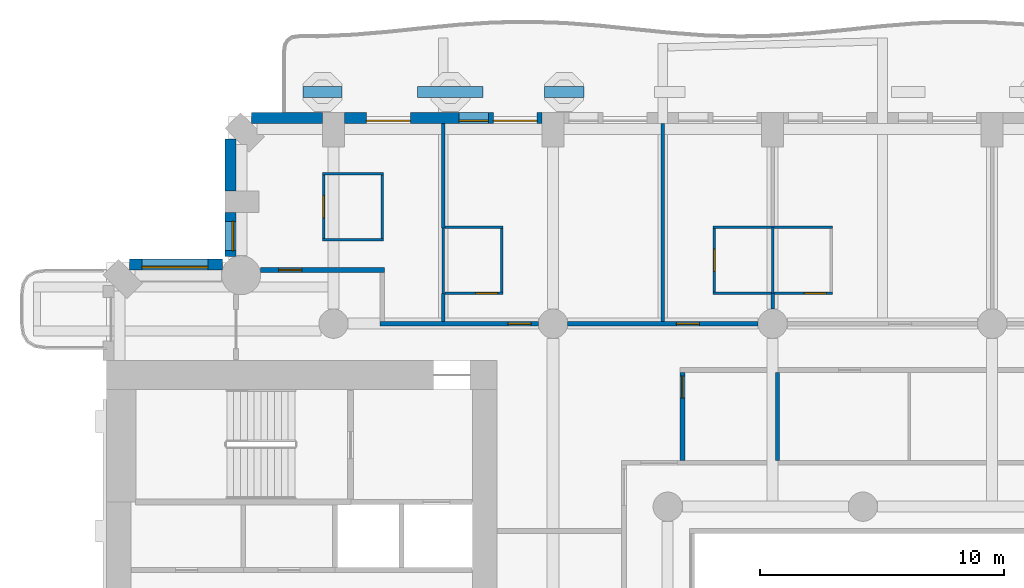
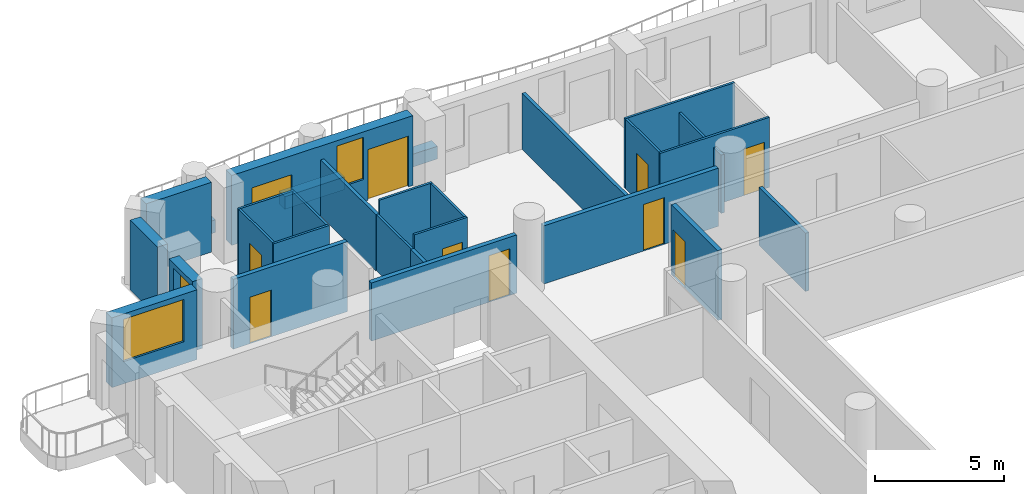
# One storey, part 8 of 20: 29 walls, 10 doors, 3 windows, 13 openings.
"""IFC4 building model written with IfcOpenShell, lengths in metres."""

from ifc_helpers import new_model, si_unit, direction, frame, frame_2d, origin, place, context, subcontext, project, spatial, rectangle, extrude, material, layer, layer_set, type_object, element, fill, save


model = new_model("IFC4")

# Units and contexts
model_context = context("Model", 3, precision=1e-05, world=origin(), true_north=direction((0.0, 1.0)))
body_context = subcontext(model_context, "Body", "Model", "MODEL_VIEW")
ifc_project = project(units=[si_unit("LENGTHUNIT", "METRE"), si_unit("AREAUNIT", "SQUARE_METRE"), si_unit("VOLUMEUNIT", "CUBIC_METRE"), si_unit("PLANEANGLEUNIT", "RADIAN"), si_unit("MASSUNIT", "GRAM", prefix="KILO")], contexts=[model_context])

# Site, building, storey
site_placement = place(None, origin())
site = spatial("IfcSite", under=ifc_project, at=site_placement, CompositionType="ELEMENT")
building_placement = place(site_placement, origin())
building = spatial("IfcBuilding", under=site, at=building_placement, Name="Cypress Arch Tower", CompositionType="ELEMENT")
storey_placement = place(building_placement, frame((0.0, 0.0, 91.5)))
storey = spatial("IfcBuildingStorey", under=building, at=storey_placement, Name="L17", CompositionType="ELEMENT", Elevation=91.5)

# Walls
ifc_material_1 = material(Name="Concrete C40/50, waterproofed", Category="concrete")
ifc_layer_1 = layer(ifc_material_1, 0.449951171875)
ifc_layer_set_1 = layer_set([ifc_layer_1], Name="Balcony planter wall PW450")
wall_type_1 = type_object("IfcWallType", Name="Balcony planter wall PW450", PredefinedType="SOLIDWALL", material=ifc_layer_set_1)
wall_1_placement = place(storey_placement, frame((-10.4375, 27.0, 0.0), z_axis=(0.0, 0.0, 1.0), x_axis=(-1.0, 0.0, 0.0)))
element("IfcWall", 1, at=wall_1_placement, inside=storey, type_object=wall_type_1, Name="Balcony planter wall L17-A08.4", PredefinedType="SOLIDWALL", context=body_context, shape_type="SweptSolid", body=[
    extrude(rectangle(XDim=1.612548828125, YDim=0.449951171875, at=frame_2d((0.80615234375, 0.0))), origin(), (0.0, 0.0, 1.0), 0.60009765625),
])
wall_2_placement = place(storey_placement, frame((-14.574951171875, 27.0, 0.0), z_axis=(0.0, 0.0, 1.0), x_axis=(-1.0, 0.0, 0.0)))
element("IfcWall", 2, at=wall_2_placement, inside=storey, type_object=wall_type_1, Name="Balcony planter wall L17-A08.5", PredefinedType="SOLIDWALL", context=body_context, shape_type="SweptSolid", body=[
    extrude(rectangle(XDim=2.675048828125, YDim=0.449951171875, at=frame_2d((1.33740234375, 0.0))), origin(), (0.0, 0.0, 1.0), 0.60009765625),
])
wall_3_placement = place(storey_placement, frame((-20.35009765625, 27.0, 0.0), z_axis=(0.0, 0.0, 1.0), x_axis=(-1.0, 0.0, 0.0)))
element("IfcWall", 3, at=wall_3_placement, inside=storey, type_object=wall_type_1, Name="Balcony planter wall L17-A08.6", PredefinedType="SOLIDWALL", context=body_context, shape_type="SweptSolid", body=[
    extrude(rectangle(XDim=1.599853515625, YDim=0.449951171875, at=frame_2d((0.7998046875, 0.0))), origin(), (0.0, 0.0, 1.0), 0.60009765625),
])

# Wall, openings, doors, window
ifc_material_2 = material(Name="Brick (red buff blend)", Category="masonry")
ifc_layer_2 = layer(ifc_material_2, 0.449951171875)
ifc_layer_set_2 = layer_set([ifc_layer_2], Name="Brick pier and spandrel wall BW450")
wall_type_2 = type_object("IfcWallType", Name="Brick pier and spandrel wall BW450", PredefinedType="SOLIDWALL", material=ifc_layer_set_2)
wall_4_placement = place(storey_placement, frame((-12.14990234375, 25.925048828125, 0.0), z_axis=(0.0, 0.0, 1.0), x_axis=(-1.0, 0.0, 0.0)))
wall_4 = element("IfcWall", 4, at=wall_4_placement, inside=storey, type_object=wall_type_2, Name="Brick wall L17 A08.3", PredefinedType="SOLIDWALL", context=body_context, shape_type="SweptSolid", body=[
    extrude(rectangle(XDim=8.10009765625, YDim=0.449951171875, at=frame_2d((4.050048828125, 0.0))), origin(), (0.0, 0.0, 1.0), 3.300048828125),
])
opening_1_placement = place(wall_4_placement, frame((0.199951171875, 0.0, 0.0)))
opening_1 = element("IfcOpeningElement", 5, at=opening_1_placement, cuts=wall_4, Name="Opening D-L17-A08.3.1", PredefinedType="OPENING", context=body_context, shape_type="SweptSolid", body=[
    extrude(rectangle(XDim=1.800048828125, YDim=2.39990234375, at=frame_2d((0.89990234375, 1.199951171875))), frame((0.0, 0.23486328125, 0.0), z_axis=(0.0, -1.0, 0.0), x_axis=(1.0, 0.0, 0.0)), (0.0, 0.0, 1.0), 0.469970703125),
])
opening_2_placement = place(wall_4_placement, frame((2.199951171875, 0.0, 1.050048828125)))
opening_2 = element("IfcOpeningElement", 6, at=opening_2_placement, cuts=wall_4, Name="Opening W120HD", PredefinedType="OPENING", context=body_context, shape_type="SweptSolid", body=[
    extrude(rectangle(XDim=1.199951171875, YDim=2.0, at=frame_2d((0.60009765625, 1.0))), frame((0.0, 0.23486328125, 0.0), z_axis=(0.0, -1.0, 0.0), x_axis=(1.0, 0.0, 0.0)), (0.0, 0.0, 1.0), 0.469970703125),
])
opening_3_placement = place(wall_4_placement, frame((5.39990234375, 0.0, 0.0)))
opening_3 = element("IfcOpeningElement", 7, at=opening_3_placement, cuts=wall_4, Name="Opening D-L17-A08.3.2", PredefinedType="OPENING", context=body_context, shape_type="SweptSolid", body=[
    extrude(rectangle(XDim=1.800048828125, YDim=2.39990234375, at=frame_2d((0.89990234375, 1.199951171875))), frame((0.0, 0.23486328125, 0.0), z_axis=(0.0, -1.0, 0.0), x_axis=(1.0, 0.0, 0.0)), (0.0, 0.0, 1.0), 0.469970703125),
])
ifc_material_3 = material(Name="Anodised aluminium, bronze finish, laminated low-emissivity double glazing, large-missile impact rated", Category="aluminium")
door_type_1 = type_object("IfcDoorType", Name="Balcony sliding door 1800x2400", OperationType="SLIDING_TO_LEFT", PredefinedType="DOOR", material=ifc_material_3)
door_1_placement = place(opening_1_placement, origin())
door_1 = element("IfcDoor", 8, at=door_1_placement, inside=storey, type_object=door_type_1, Name="Balcony door L17 A08.3.1", OperationType="SLIDING_TO_LEFT", OverallHeight=2.39990234375, OverallWidth=1.800048828125, PredefinedType="DOOR", context=body_context, shape_type="SweptSolid", body=[
    extrude(rectangle(XDim=1.800048828125, YDim=2.39990234375, at=frame_2d((0.89990234375, 1.199951171875))), frame((0.0, 0.1298828125, 0.0), z_axis=(0.0, -1.0, 0.0), x_axis=(1.0, 0.0, 0.0)), (0.0, 0.0, 1.0), 0.050048828125),
])
fill(opening_1, door_1)
door_2_placement = place(opening_3_placement, origin())
door_2 = element("IfcDoor", 9, at=door_2_placement, inside=storey, type_object=door_type_1, Name="Balcony door L17 A08.3.2", OperationType="SLIDING_TO_LEFT", OverallHeight=2.39990234375, OverallWidth=1.800048828125, PredefinedType="DOOR", context=body_context, shape_type="SweptSolid", body=[
    extrude(rectangle(XDim=1.800048828125, YDim=2.39990234375, at=frame_2d((0.89990234375, 1.199951171875))), frame((0.0, 0.1298828125, 0.0), z_axis=(0.0, -1.0, 0.0), x_axis=(1.0, 0.0, 0.0)), (0.0, 0.0, 1.0), 0.050048828125),
])
fill(opening_3, door_2)
ifc_material_4 = material(Name="Anodised aluminium, bronze finish, laminated low-emissivity double glazing, large-missile impact rated", Category="aluminium")
window_type_1 = type_object("IfcWindowType", Name="Window Hotel 1200x2000 debris-rated", PartitioningType="SINGLE_PANEL", PredefinedType="WINDOW", material=ifc_material_4)
window_1_placement = place(opening_2_placement, origin())
window_1 = element("IfcWindow", 10, at=window_1_placement, inside=storey, type_object=window_type_1, Name="Window L17 A08.3.1", OverallHeight=2.0, OverallWidth=1.199951171875, PartitioningType="SINGLE_PANEL", PredefinedType="WINDOW", context=body_context, shape_type="SweptSolid", body=[
    extrude(rectangle(XDim=1.199951171875, YDim=2.0, at=frame_2d((0.60009765625, 1.0))), frame((0.0, 0.135009765625, 0.0), z_axis=(0.0, -1.0, 0.0), x_axis=(1.0, 0.0, 0.0)), (0.0, 0.0, 1.0), 0.06005859375),
])
fill(opening_2, window_1)

# Walls
wall_5_placement = place(storey_placement, frame((-21.14990234375, 25.925048828125, 0.0), z_axis=(0.0, 0.0, 1.0), x_axis=(-1.0, 0.0, 0.0)))
element("IfcWall", 11, at=wall_5_placement, inside=storey, type_object=wall_type_2, Name="Brick wall L17 A08.4", PredefinedType="SOLIDWALL", context=body_context, shape_type="SweptSolid", body=[
    extrude(rectangle(XDim=2.913818359375, YDim=0.449951171875, at=frame_2d((1.45703125, 0.0))), origin(), (0.0, 0.0, 1.0), 3.300048828125),
])
wall_6_placement = place(storey_placement, frame((-24.925048828125, 25.063720703125, 0.0), z_axis=(0.0, 0.0, 1.0), x_axis=(0.0, -1.0, 0.0)))
element("IfcWall", 12, at=wall_6_placement, inside=storey, type_object=wall_type_2, Name="Brick wall L17 A09.0", PredefinedType="SOLIDWALL", context=body_context, shape_type="SweptSolid", body=[
    extrude(rectangle(XDim=2.11376953125, YDim=0.449951171875, at=frame_2d((1.056884765625, 0.0))), origin(), (0.0, 0.0, 1.0), 3.300048828125),
])

# Wall, opening, window
wall_7_placement = place(storey_placement, frame((-24.925048828125, 22.050048828125, 0.0), z_axis=(0.0, 0.0, 1.0), x_axis=(0.0, -1.0, 0.0)))
wall_7 = element("IfcWall", 13, at=wall_7_placement, inside=storey, type_object=wall_type_2, Name="Brick wall L17 A09.1", PredefinedType="SOLIDWALL", context=body_context, shape_type="SweptSolid", body=[
    extrude(rectangle(XDim=1.79150390625, YDim=0.449951171875, at=frame_2d((0.895751953125, 0.0))), origin(), (0.0, 0.0, 1.0), 3.300048828125),
])
opening_4_placement = place(wall_7_placement, frame((0.35009765625, 0.0, 1.050048828125)))
opening_4 = element("IfcOpeningElement", 14, at=opening_4_placement, cuts=wall_7, Name="Opening W120H", PredefinedType="OPENING", context=body_context, shape_type="SweptSolid", body=[
    extrude(rectangle(XDim=1.199951171875, YDim=2.0, at=frame_2d((0.60009765625, 1.0))), frame((0.0, 0.23486328125, 0.0), z_axis=(0.0, -1.0, 0.0), x_axis=(1.0, 0.0, 0.0)), (0.0, 0.0, 1.0), 0.469970703125),
])
ifc_material_5 = material(Name="Anodised aluminium, bronze finish, clear low-emissivity double glazing", Category="aluminium")
window_type_2 = type_object("IfcWindowType", Name="Window Hotel 1200x2000", PartitioningType="SINGLE_PANEL", PredefinedType="WINDOW", material=ifc_material_5)
window_2_placement = place(opening_4_placement, origin())
window_2 = element("IfcWindow", 15, at=window_2_placement, inside=storey, type_object=window_type_2, Name="Window L17 A09.1.1", OverallHeight=2.0, OverallWidth=1.199951171875, PartitioningType="SINGLE_PANEL", PredefinedType="WINDOW", context=body_context, shape_type="SweptSolid", body=[
    extrude(rectangle(XDim=1.199951171875, YDim=2.0, at=frame_2d((0.60009765625, 1.0))), frame((0.0, 0.135009765625, 0.0), z_axis=(0.0, -1.0, 0.0), x_axis=(1.0, 0.0, 0.0)), (0.0, 0.0, 1.0), 0.06005859375),
])
fill(opening_4, window_2)

wall_8_placement = place(storey_placement, frame((-25.258544921875, 19.925048828125, 0.0), z_axis=(0.0, 0.0, 1.0), x_axis=(-1.0, 0.0, 0.0)))
wall_8 = element("IfcWall", 16, at=wall_8_placement, inside=storey, type_object=wall_type_2, Name="Brick wall L17 A10.0", PredefinedType="SOLIDWALL", context=body_context, shape_type="SweptSolid", body=[
    extrude(rectangle(XDim=3.80517578125, YDim=0.449951171875, at=frame_2d((1.902587890625, 0.0))), origin(), (0.0, 0.0, 1.0), 3.300048828125),
])
opening_5_placement = place(wall_8_placement, frame((0.591552734375, 0.0, 1.050048828125)))
opening_5 = element("IfcOpeningElement", 17, at=opening_5_placement, cuts=wall_8, Name="Opening W270H", PredefinedType="OPENING", context=body_context, shape_type="SweptSolid", body=[
    extrude(rectangle(XDim=2.699951171875, YDim=2.0, at=frame_2d((1.35009765625, 1.0))), frame((0.0, 0.23486328125, 0.0), z_axis=(0.0, -1.0, 0.0), x_axis=(1.0, 0.0, 0.0)), (0.0, 0.0, 1.0), 0.469970703125),
])
ifc_material_6 = material(Name="Anodised aluminium, bronze finish, clear low-emissivity double glazing", Category="aluminium")
window_type_3 = type_object("IfcWindowType", Name="Window Hotel 2700x2000", PartitioningType="SINGLE_PANEL", PredefinedType="WINDOW", material=ifc_material_6)
window_3_placement = place(opening_5_placement, origin())
window_3 = element("IfcWindow", 18, at=window_3_placement, inside=storey, type_object=window_type_3, Name="Window L17 A10.0.1", OverallHeight=2.0, OverallWidth=2.699951171875, PartitioningType="SINGLE_PANEL", PredefinedType="WINDOW", context=body_context, shape_type="SweptSolid", body=[
    extrude(rectangle(XDim=2.699951171875, YDim=2.0, at=frame_2d((1.35009765625, 1.0))), frame((0.0, 0.135009765625, 0.0), z_axis=(0.0, -1.0, 0.0), x_axis=(1.0, 0.0, 0.0)), (0.0, 0.0, 1.0), 0.06005859375),
])
fill(opening_5, window_3)

# Wall, opening, door
ifc_material_7 = material(Name="Concrete blockwork, plastered, rated", Category="masonry")
ifc_layer_3 = layer(ifc_material_7, 0.199951171875)
ifc_layer_set_3 = layer_set([ifc_layer_3], Name="Corridor wall FW200")
wall_type_3 = type_object("IfcWallType", Name="Corridor wall FW200", PredefinedType="PARTITIONING", material=ifc_layer_set_3)
wall_9_placement = place(storey_placement, frame((-23.7001953125, 19.699951171875, 0.0), z_axis=(0.0, 0.0, 1.0), x_axis=(1.0, 0.0, 0.0)))
wall_9 = element("IfcWall", 19, at=wall_9_placement, inside=storey, type_object=wall_type_3, Name="Corridor wall", PredefinedType="PARTITIONING", context=body_context, shape_type="SweptSolid", body=[
    extrude(rectangle(XDim=5.10009765625, YDim=0.199951171875, at=frame_2d((2.550048828125, 0.0))), origin(), (0.0, 0.0, 1.0), 3.300048828125),
])
opening_6_placement = place(wall_9_placement, frame((0.75, 0.0, 0.0)))
opening_6 = element("IfcOpeningElement", 20, at=opening_6_placement, cuts=wall_9, Name="Opening D02", PredefinedType="OPENING", context=body_context, shape_type="SweptSolid", body=[
    extrude(rectangle(XDim=0.949951171875, YDim=2.199951171875, at=frame_2d((0.47509765625, 1.10009765625))), frame((0.0, 0.10986328125, 0.0), z_axis=(0.0, -1.0, 0.0), x_axis=(1.0, 0.0, 0.0)), (0.0, 0.0, 1.0), 0.219970703125),
])
ifc_material_8 = material(Name="Timber flush door, fire resisting", Category="wood")
door_type_2 = type_object("IfcDoorType", Name="Room door D02 950x2200", OperationType="SINGLE_SWING_LEFT", PredefinedType="DOOR", material=ifc_material_8)
door_3_placement = place(opening_6_placement, origin())
door_3 = element("IfcDoor", 21, at=door_3_placement, inside=storey, type_object=door_type_2, Name="Room door", OperationType="SINGLE_SWING_LEFT", OverallHeight=2.199951171875, OverallWidth=0.949951171875, PredefinedType="DOOR", context=body_context, shape_type="SweptSolid", body=[
    extrude(rectangle(XDim=0.949951171875, YDim=2.199951171875, at=frame_2d((0.47509765625, 1.10009765625))), frame((0.0, 0.02490234375, 0.0), z_axis=(0.0, -1.0, 0.0), x_axis=(1.0, 0.0, 0.0)), (0.0, 0.0, 1.0), 0.050048828125),
])
fill(opening_6, door_3)

wall_10_placement = place(storey_placement, frame((-18.800048828125, 17.5, 0.0), z_axis=(0.0, 0.0, 1.0), x_axis=(1.0, 0.0, 0.0)))
wall_10 = element("IfcWall", 22, at=wall_10_placement, inside=storey, type_object=wall_type_3, Name="Corridor wall", PredefinedType="PARTITIONING", context=body_context, shape_type="SweptSolid", body=[
    extrude(rectangle(XDim=6.5, YDim=0.199951171875, at=frame_2d((3.25, 0.0))), origin(), (0.0, 0.0, 1.0), 2.75),
])
opening_7_placement = place(wall_10_placement, frame((5.25, 0.0, 0.0)))
opening_7 = element("IfcOpeningElement", 23, at=opening_7_placement, cuts=wall_10, Name="Opening D02", PredefinedType="OPENING", context=body_context, shape_type="SweptSolid", body=[
    extrude(rectangle(XDim=0.949951171875, YDim=2.199951171875, at=frame_2d((0.47509765625, 1.10009765625))), frame((0.0, 0.10986328125, 0.0), z_axis=(0.0, -1.0, 0.0), x_axis=(1.0, 0.0, 0.0)), (0.0, 0.0, 1.0), 0.219970703125),
])
door_4_placement = place(opening_7_placement, origin())
door_4 = element("IfcDoor", 24, at=door_4_placement, inside=storey, type_object=door_type_2, Name="Room door", OperationType="SINGLE_SWING_RIGHT", OverallHeight=2.199951171875, OverallWidth=0.949951171875, PredefinedType="DOOR", context=body_context, shape_type="SweptSolid", body=[
    extrude(rectangle(XDim=0.949951171875, YDim=2.199951171875, at=frame_2d((0.47509765625, 1.10009765625))), frame((0.0, 0.02490234375, 0.0), z_axis=(0.0, -1.0, 0.0), x_axis=(1.0, 0.0, 0.0)), (0.0, 0.0, 1.0), 0.050048828125),
])
fill(opening_7, door_4)

wall_11_placement = place(storey_placement, frame((-11.10009765625, 17.5, 0.0), z_axis=(0.0, 0.0, 1.0), x_axis=(1.0, 0.0, 0.0)))
wall_11 = element("IfcWall", 25, at=wall_11_placement, inside=storey, type_object=wall_type_3, Name="Corridor wall", PredefinedType="PARTITIONING", context=body_context, shape_type="SweptSolid", body=[
    extrude(rectangle(XDim=7.800048828125, YDim=0.199951171875, at=frame_2d((3.89990234375, 0.0))), origin(), (0.0, 0.0, 1.0), 2.75),
])
opening_8_placement = place(wall_11_placement, frame((4.449951171875, 0.0, 0.0)))
opening_8 = element("IfcOpeningElement", 26, at=opening_8_placement, cuts=wall_11, Name="Opening D02", PredefinedType="OPENING", context=body_context, shape_type="SweptSolid", body=[
    extrude(rectangle(XDim=0.949951171875, YDim=2.199951171875, at=frame_2d((0.47509765625, 1.10009765625))), frame((0.0, 0.10986328125, 0.0), z_axis=(0.0, -1.0, 0.0), x_axis=(1.0, 0.0, 0.0)), (0.0, 0.0, 1.0), 0.219970703125),
])
door_5_placement = place(opening_8_placement, origin())
door_5 = element("IfcDoor", 27, at=door_5_placement, inside=storey, type_object=door_type_2, Name="Room door", OperationType="SINGLE_SWING_LEFT", OverallHeight=2.199951171875, OverallWidth=0.949951171875, PredefinedType="DOOR", context=body_context, shape_type="SweptSolid", body=[
    extrude(rectangle(XDim=0.949951171875, YDim=2.199951171875, at=frame_2d((0.47509765625, 1.10009765625))), frame((0.0, 0.02490234375, 0.0), z_axis=(0.0, -1.0, 0.0), x_axis=(1.0, 0.0, 0.0)), (0.0, 0.0, 1.0), 0.050048828125),
])
fill(opening_8, door_5)

wall_12_placement = place(storey_placement, frame((-6.39990234375, 11.89990234375, 0.0), z_axis=(0.0, 0.0, 1.0), x_axis=(0.0, 1.0, 0.0)))
wall_12 = element("IfcWall", 28, at=wall_12_placement, inside=storey, type_object=wall_type_3, Name="Corridor wall", PredefinedType="PARTITIONING", context=body_context, shape_type="SweptSolid", body=[
    extrude(rectangle(XDim=3.60009765625, YDim=0.199951171875, at=frame_2d((1.800048828125, 0.0))), origin(), (0.0, 0.0, 1.0), 3.300048828125),
])
opening_9_placement = place(wall_12_placement, frame((2.550048828125, 0.0, 0.0)))
opening_9 = element("IfcOpeningElement", 29, at=opening_9_placement, cuts=wall_12, Name="Opening D05", PredefinedType="OPENING", context=body_context, shape_type="SweptSolid", body=[
    extrude(rectangle(XDim=0.89990234375, YDim=2.199951171875, at=frame_2d((0.449951171875, 1.10009765625))), frame((0.0, 0.10986328125, 0.0), z_axis=(0.0, -1.0, 0.0), x_axis=(1.0, 0.0, 0.0)), (0.0, 0.0, 1.0), 0.219970703125),
])
ifc_material_9 = material(Name="Timber flush door", Category="wood")
door_type_3 = type_object("IfcDoorType", Name="Service door D05 900x2200", OperationType="SINGLE_SWING_LEFT", PredefinedType="DOOR", material=ifc_material_9)
door_6_placement = place(opening_9_placement, origin())
door_6 = element("IfcDoor", 30, at=door_6_placement, inside=storey, type_object=door_type_3, Name="Service door", OperationType="SINGLE_SWING_LEFT", OverallHeight=2.199951171875, OverallWidth=0.89990234375, PredefinedType="DOOR", context=body_context, shape_type="SweptSolid", body=[
    extrude(rectangle(XDim=0.89990234375, YDim=2.199951171875, at=frame_2d((0.449951171875, 1.10009765625))), frame((0.0, 0.02490234375, 0.0), z_axis=(0.0, -1.0, 0.0), x_axis=(1.0, 0.0, 0.0)), (0.0, 0.0, 1.0), 0.050048828125),
])
fill(opening_9, door_6)

# Walls
ifc_material_10 = material(Name="Blockwork, plastered both sides", Category="masonry")
ifc_layer_4 = layer(ifc_material_10, 0.14990234375)
ifc_layer_set_4 = layer_set([ifc_layer_4], Name="Partition PW150")
wall_type_4 = type_object("IfcWallType", Name="Partition PW150", PredefinedType="PARTITIONING", material=ifc_layer_set_4)
wall_13_placement = place(storey_placement, frame((-16.199951171875, 17.60009765625, 0.0), z_axis=(0.0, 0.0, 1.0), x_axis=(0.0, 1.0, 0.0)))
element("IfcWall", 31, at=wall_13_placement, inside=storey, type_object=wall_type_4, Name="Partition", PredefinedType="PARTITIONING", context=body_context, shape_type="SweptSolid", body=[
    extrude(rectangle(XDim=1.1298828125, YDim=0.14990234375, at=frame_2d((0.56494140625, 0.0))), origin(), (0.0, 0.0, 1.0), 2.64990234375),
])
wall_14_placement = place(storey_placement, frame((-16.199951171875, 21.429931640625, 0.0), z_axis=(0.0, 0.0, 1.0), x_axis=(0.0, 1.0, 0.0)))
element("IfcWall", 32, at=wall_14_placement, inside=storey, type_object=wall_type_4, Name="Partition", PredefinedType="PARTITIONING", context=body_context, shape_type="SweptSolid", body=[
    extrude(rectangle(XDim=4.27001953125, YDim=0.14990234375, at=frame_2d((2.135009765625, 0.0))), origin(), (0.0, 0.0, 1.0), 2.64990234375),
])
wall_15_placement = place(storey_placement, frame((-7.199951171875, 17.60009765625, 0.0), z_axis=(0.0, 0.0, 1.0), x_axis=(0.0, 1.0, 0.0)))
element("IfcWall", 33, at=wall_15_placement, inside=storey, type_object=wall_type_4, Name="Partition", PredefinedType="PARTITIONING", context=body_context, shape_type="SweptSolid", body=[
    extrude(rectangle(XDim=8.099853515625, YDim=0.14990234375, at=frame_2d((4.0498046875, 0.0))), origin(), (0.0, 0.0, 1.0), 2.64990234375),
])
wall_16_placement = place(storey_placement, frame((-2.699951171875, 18.10009765625, 0.0), z_axis=(0.0, 0.0, 1.0), x_axis=(0.0, 1.0, 0.0)))
element("IfcWall", 34, at=wall_16_placement, inside=storey, type_object=wall_type_4, Name="Partition", PredefinedType="PARTITIONING", context=body_context, shape_type="SweptSolid", body=[
    extrude(rectangle(XDim=0.6298828125, YDim=0.14990234375, at=frame_2d((0.31494140625, 0.0))), origin(), (0.0, 0.0, 1.0), 2.75),
])
wall_17_placement = place(storey_placement, frame((-2.5, 11.89990234375, 0.0), z_axis=(0.0, 0.0, 1.0), x_axis=(0.0, 1.0, 0.0)))
element("IfcWall", 35, at=wall_17_placement, inside=storey, type_object=wall_type_4, Name="Partition", PredefinedType="PARTITIONING", context=body_context, shape_type="SweptSolid", body=[
    extrude(rectangle(XDim=3.60009765625, YDim=0.14990234375, at=frame_2d((1.800048828125, 0.0))), origin(), (0.0, 0.0, 1.0), 2.75),
])

# Wall, opening, door
ifc_material_11 = material(Name="Moisture resistant board on steel studs, tiled", Category="steel")
ifc_layer_5 = layer(ifc_material_11, 0.10009765625)
ifc_layer_set_5 = layer_set([ifc_layer_5], Name="Wet wall PW100")
wall_type_5 = type_object("IfcWallType", Name="Wet wall PW100", PredefinedType="PARTITIONING", material=ifc_layer_set_5)
wall_18_placement = place(storey_placement, frame((-21.10009765625, 21.0, 0.0), z_axis=(0.0, 0.0, 1.0), x_axis=(0.0, 1.0, 0.0)))
wall_18 = element("IfcWall", 36, at=wall_18_placement, inside=storey, type_object=wall_type_5, Name="Wet wall", PredefinedType="PARTITIONING", context=body_context, shape_type="SweptSolid", body=[
    extrude(rectangle(XDim=2.60009765625, YDim=0.10009765625, at=frame_2d((1.300048828125, 0.0))), origin(), (0.0, 0.0, 1.0), 3.300048828125),
])
opening_10_placement = place(wall_18_placement, frame((0.85009765625, 0.0, 0.0)))
opening_10 = element("IfcOpeningElement", 37, at=opening_10_placement, cuts=wall_18, Name="Opening D03", PredefinedType="OPENING", context=body_context, shape_type="SweptSolid", body=[
    extrude(rectangle(XDim=0.89990234375, YDim=2.199951171875, at=frame_2d((0.449951171875, 1.10009765625))), frame((0.0, 0.06005859375, 0.0), z_axis=(0.0, -1.0, 0.0), x_axis=(1.0, 0.0, 0.0)), (0.0, 0.0, 1.0), 0.1201171875),
])
ifc_material_12 = material(Name="Timber flush door, moisture resistant", Category="wood")
door_type_4 = type_object("IfcDoorType", Name="Bathroom door D03 900x2200", OperationType="SINGLE_SWING_LEFT", PredefinedType="DOOR", material=ifc_material_12)
door_7_placement = place(opening_10_placement, origin())
door_7 = element("IfcDoor", 38, at=door_7_placement, inside=storey, type_object=door_type_4, Name="Bathroom door", OperationType="SINGLE_SWING_LEFT", OverallHeight=2.199951171875, OverallWidth=0.89990234375, PredefinedType="DOOR", context=body_context, shape_type="SweptSolid", body=[
    extrude(rectangle(XDim=0.89990234375, YDim=2.199951171875, at=frame_2d((0.449951171875, 1.10009765625))), frame((0.0, 0.02490234375, 0.0), z_axis=(0.0, -1.0, 0.0), x_axis=(1.0, 0.0, 0.0)), (0.0, 0.0, 1.0), 0.050048828125),
])
fill(opening_10, door_7)

# Walls
for number, where, z_axis, x_axis, name in (
    (39, (-21.14990234375, 20.949951171875, 0.0), (0.0, 0.0, 1.0), (1.0, 0.0, 0.0), "Wet wall"),
    (40, (-21.14990234375, 23.64990234375, 0.0), (0.0, 0.0, 1.0), (1.0, 0.0, 0.0), "Wet wall"),
):
    element("IfcWall", number, at=place(storey_placement, frame(where, z_axis=z_axis, x_axis=x_axis)), inside=storey, type_object=wall_type_5, Name=name, PredefinedType="PARTITIONING", context=body_context, shape_type="SweptSolid", body=[
        extrude(rectangle(XDim=2.5, YDim=0.10009765625, at=frame_2d((1.25, 0.0))), origin(), (0.0, 0.0, 1.0), 3.300048828125),
    ])
wall_19_placement = place(storey_placement, frame((-18.699951171875, 21.0, 0.0), z_axis=(0.0, 0.0, 1.0), x_axis=(0.0, 1.0, 0.0)))
element("IfcWall", 41, at=wall_19_placement, inside=storey, type_object=wall_type_5, Name="Wet wall", PredefinedType="PARTITIONING", context=body_context, shape_type="SweptSolid", body=[
    extrude(rectangle(XDim=2.60009765625, YDim=0.10009765625, at=frame_2d((1.300048828125, 0.0))), origin(), (0.0, 0.0, 1.0), 3.300048828125),
])
wall_20_placement = place(storey_placement, frame((-16.199951171875, 18.72998046875, 0.0), z_axis=(0.0, 0.0, 1.0), x_axis=(0.0, 1.0, 0.0)))
element("IfcWall", 42, at=wall_20_placement, inside=storey, type_object=wall_type_5, Name="Wet wall", PredefinedType="PARTITIONING", context=body_context, shape_type="SweptSolid", body=[
    extrude(rectangle(XDim=2.699951171875, YDim=0.10009765625, at=frame_2d((1.35009765625, 0.0))), origin(), (0.0, 0.0, 1.0), 2.64990234375),
])

# Wall, opening, door
wall_21_placement = place(storey_placement, frame((-16.125, 18.75, 0.0), z_axis=(0.0, 0.0, 1.0), x_axis=(1.0, 0.0, 0.0)))
wall_21 = element("IfcWall", 43, at=wall_21_placement, inside=storey, type_object=wall_type_5, Name="Wet wall", PredefinedType="PARTITIONING", context=body_context, shape_type="SweptSolid", body=[
    extrude(rectangle(XDim=2.37109375, YDim=0.10009765625, at=frame_2d((1.185546875, 0.0))), origin(), (0.0, 0.0, 1.0), 3.300048828125),
])
opening_11_placement = place(wall_21_placement, frame((1.25, 0.0, 0.0)))
opening_11 = element("IfcOpeningElement", 44, at=opening_11_placement, cuts=wall_21, Name="Opening D03", PredefinedType="OPENING", context=body_context, shape_type="SweptSolid", body=[
    extrude(rectangle(XDim=0.89990234375, YDim=2.199951171875, at=frame_2d((0.449951171875, 1.10009765625))), frame((0.0, 0.06005859375, 0.0), z_axis=(0.0, -1.0, 0.0), x_axis=(1.0, 0.0, 0.0)), (0.0, 0.0, 1.0), 0.1201171875),
])
door_8_placement = place(opening_11_placement, origin())
door_8 = element("IfcDoor", 45, at=door_8_placement, inside=storey, type_object=door_type_4, Name="Bathroom door", OperationType="SINGLE_SWING_RIGHT", OverallHeight=2.199951171875, OverallWidth=0.89990234375, PredefinedType="DOOR", context=body_context, shape_type="SweptSolid", body=[
    extrude(rectangle(XDim=0.89990234375, YDim=2.199951171875, at=frame_2d((0.449951171875, 1.10009765625))), frame((0.0, 0.02490234375, 0.0), z_axis=(0.0, -1.0, 0.0), x_axis=(1.0, 0.0, 0.0)), (0.0, 0.0, 1.0), 0.050048828125),
])
fill(opening_11, door_8)

# Walls
wall_22_placement = place(storey_placement, frame((-16.125, 21.449951171875, 0.0), z_axis=(0.0, 0.0, 1.0), x_axis=(1.0, 0.0, 0.0)))
element("IfcWall", 46, at=wall_22_placement, inside=storey, type_object=wall_type_5, Name="Wet wall", PredefinedType="PARTITIONING", context=body_context, shape_type="SweptSolid", body=[
    extrude(rectangle(XDim=2.37109375, YDim=0.10009765625, at=frame_2d((1.185546875, 0.0))), origin(), (0.0, 0.0, 1.0), 3.300048828125),
])
wall_23_placement = place(storey_placement, frame((-13.803955078125, 18.800048828125, 0.0), z_axis=(0.0, 0.0, 1.0), x_axis=(0.0, 1.0, 0.0)))
element("IfcWall", 47, at=wall_23_placement, inside=storey, type_object=wall_type_5, Name="Wet wall", PredefinedType="PARTITIONING", context=body_context, shape_type="SweptSolid", body=[
    extrude(rectangle(XDim=2.599853515625, YDim=0.10009765625, at=frame_2d((1.2998046875, 0.0))), origin(), (0.0, 0.0, 1.0), 3.300048828125),
])

# Wall, opening, door
wall_24_placement = place(storey_placement, frame((-5.095947265625, 18.800048828125, 0.0), z_axis=(0.0, 0.0, 1.0), x_axis=(0.0, 1.0, 0.0)))
wall_24 = element("IfcWall", 48, at=wall_24_placement, inside=storey, type_object=wall_type_5, Name="Wet wall", PredefinedType="PARTITIONING", context=body_context, shape_type="SweptSolid", body=[
    extrude(rectangle(XDim=2.599853515625, YDim=0.10009765625, at=frame_2d((1.2998046875, 0.0))), origin(), (0.0, 0.0, 1.0), 3.300048828125),
])
opening_12_placement = place(wall_24_placement, frame((0.85009765625, 0.0, 0.0)))
opening_12 = element("IfcOpeningElement", 49, at=opening_12_placement, cuts=wall_24, Name="Opening D03", PredefinedType="OPENING", context=body_context, shape_type="SweptSolid", body=[
    extrude(rectangle(XDim=0.89990234375, YDim=2.199951171875, at=frame_2d((0.449951171875, 1.10009765625))), frame((0.0, 0.06005859375, 0.0), z_axis=(0.0, -1.0, 0.0), x_axis=(1.0, 0.0, 0.0)), (0.0, 0.0, 1.0), 0.1201171875),
])
door_9_placement = place(opening_12_placement, origin())
door_9 = element("IfcDoor", 50, at=door_9_placement, inside=storey, type_object=door_type_4, Name="Bathroom door", OperationType="SINGLE_SWING_LEFT", OverallHeight=2.199951171875, OverallWidth=0.89990234375, PredefinedType="DOOR", context=body_context, shape_type="SweptSolid", body=[
    extrude(rectangle(XDim=0.89990234375, YDim=2.199951171875, at=frame_2d((0.449951171875, 1.10009765625))), frame((0.0, 0.02490234375, 0.0), z_axis=(0.0, -1.0, 0.0), x_axis=(1.0, 0.0, 0.0)), (0.0, 0.0, 1.0), 0.050048828125),
])
fill(opening_12, door_9)

wall_25_placement = place(storey_placement, frame((-5.14599609375, 18.75, 0.0), z_axis=(0.0, 0.0, 1.0), x_axis=(1.0, 0.0, 0.0)))
wall_25 = element("IfcWall", 51, at=wall_25_placement, inside=storey, type_object=wall_type_5, Name="Wet wall", PredefinedType="PARTITIONING", context=body_context, shape_type="SweptSolid", body=[
    extrude(rectangle(XDim=4.89208984375, YDim=0.10009765625, at=frame_2d((2.446044921875, 0.0))), origin(), (0.0, 0.0, 1.0), 3.300048828125),
])
opening_13_placement = place(wall_25_placement, frame((3.75, 0.0, 0.0)))
opening_13 = element("IfcOpeningElement", 52, at=opening_13_placement, cuts=wall_25, Name="Opening D03", PredefinedType="OPENING", context=body_context, shape_type="SweptSolid", body=[
    extrude(rectangle(XDim=0.89990234375, YDim=2.199951171875, at=frame_2d((0.449951171875, 1.10009765625))), frame((0.0, 0.06005859375, 0.0), z_axis=(0.0, -1.0, 0.0), x_axis=(1.0, 0.0, 0.0)), (0.0, 0.0, 1.0), 0.1201171875),
])
door_10_placement = place(opening_13_placement, origin())
door_10 = element("IfcDoor", 53, at=door_10_placement, inside=storey, type_object=door_type_4, Name="Bathroom door", OperationType="SINGLE_SWING_RIGHT", OverallHeight=2.199951171875, OverallWidth=0.89990234375, PredefinedType="DOOR", context=body_context, shape_type="SweptSolid", body=[
    extrude(rectangle(XDim=0.89990234375, YDim=2.199951171875, at=frame_2d((0.449951171875, 1.10009765625))), frame((0.0, 0.02490234375, 0.0), z_axis=(0.0, -1.0, 0.0), x_axis=(1.0, 0.0, 0.0)), (0.0, 0.0, 1.0), 0.050048828125),
])
fill(opening_13, door_10)

# Walls
wall_26_placement = place(storey_placement, frame((-5.14599609375, 21.449951171875, 0.0), z_axis=(0.0, 0.0, 1.0), x_axis=(1.0, 0.0, 0.0)))
element("IfcWall", 54, at=wall_26_placement, inside=storey, type_object=wall_type_5, Name="Wet wall", PredefinedType="PARTITIONING", context=body_context, shape_type="SweptSolid", body=[
    extrude(rectangle(XDim=4.89208984375, YDim=0.10009765625, at=frame_2d((2.446044921875, 0.0))), origin(), (0.0, 0.0, 1.0), 3.300048828125),
])
wall_27_placement = place(storey_placement, frame((-2.699951171875, 18.72998046875, 0.0), z_axis=(0.0, 0.0, 1.0), x_axis=(0.0, 1.0, 0.0)))
element("IfcWall", 55, at=wall_27_placement, inside=storey, type_object=wall_type_5, Name="Wet wall", PredefinedType="PARTITIONING", context=body_context, shape_type="SweptSolid", body=[
    extrude(rectangle(XDim=2.719970703125, YDim=0.10009765625, at=frame_2d((1.35986328125, 0.0))), origin(), (0.0, 0.0, 1.0), 2.75),
])

save(model, "model.ifc")
